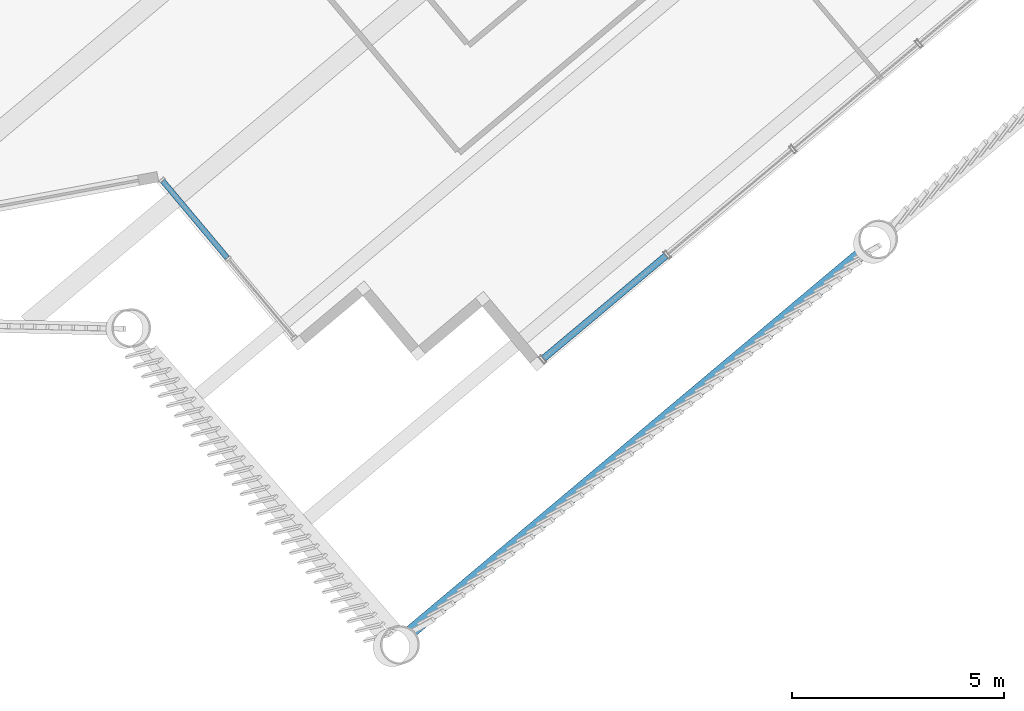
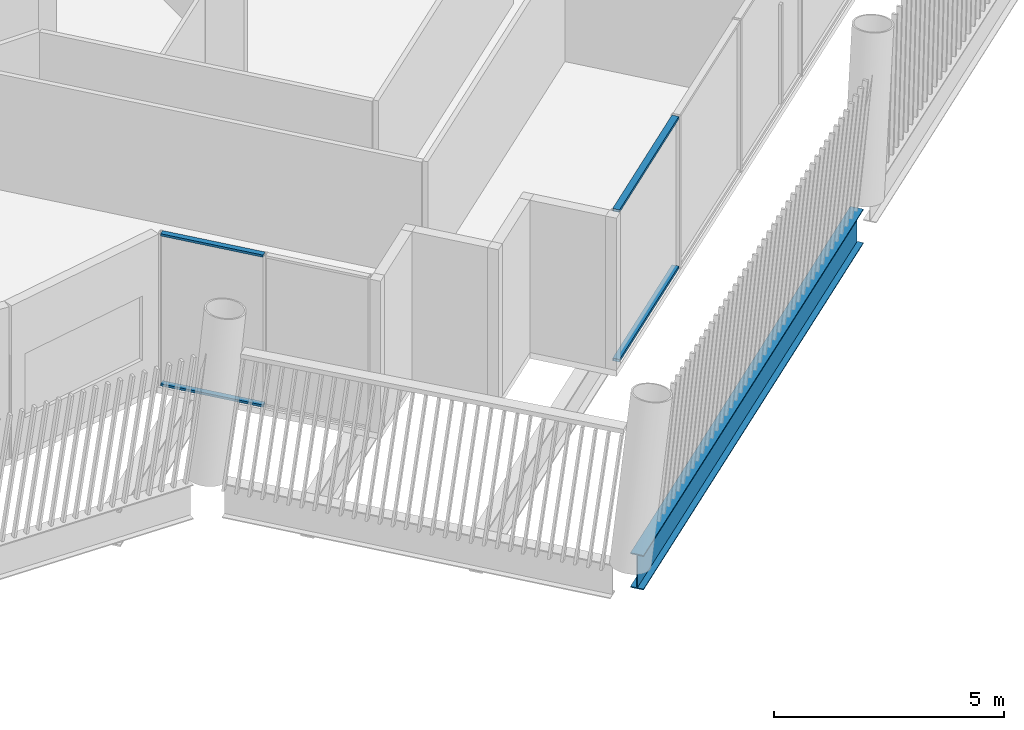
# One storey, part 11 of 31: 4 members, 1 beam, 2 elements without a shape of their own.
"""IFC4 building model written with IfcOpenShell, lengths in metres."""

from ifc_helpers import new_model, si_unit, direction, frame, origin, origin_2d, place, context, subcontext, project, spatial, hollow_rectangle, i_section, extrude, material, layer, layer_set, material_profile, profile_set, type_object, element, aggregate, save


model = new_model("IFC4")

# Units and contexts
model_context = context("Model", 3, precision=1e-05, world=origin(), true_north=direction((0.0, 1.0)))
body_context = subcontext(model_context, "Body", "Model", "MODEL_VIEW")
ifc_project = project(units=[si_unit("LENGTHUNIT", "METRE"), si_unit("AREAUNIT", "SQUARE_METRE"), si_unit("VOLUMEUNIT", "CUBIC_METRE"), si_unit("PLANEANGLEUNIT", "RADIAN"), si_unit("MASSUNIT", "GRAM", prefix="KILO")], contexts=[model_context])

# Site, building, storey
site_placement = place(None, origin())
site = spatial("IfcSite", under=ifc_project, at=site_placement, CompositionType="ELEMENT")
building_placement = place(site_placement, origin())
building = spatial("IfcBuilding", under=site, at=building_placement, Name="Tarsis Ring Headquarters", CompositionType="ELEMENT")
storey_placement = place(building_placement, frame((0.0, 0.0, 390.199951171875)))
storey = spatial("IfcBuildingStorey", under=building, at=storey_placement, Name="L92", CompositionType="ELEMENT", Elevation=390.199951171875)

# Curtain wall, members
ifc_material_1 = material(Name="Aluminium curtain wall", Category="aluminium")
ifc_layer_1 = layer(ifc_material_1, 0.199951171875)
ifc_layer_set_1 = layer_set([ifc_layer_1], Name="Curtain wall executive tip")
curtain_wall_type_1 = type_object("IfcCurtainWallType", Name="Curtain wall executive tip", PredefinedType="NOTDEFINED", material=ifc_layer_set_1)
curtain_wall_1_placement = place(storey_placement, origin())
curtain_wall_1 = element("IfcCurtainWall", 1, at=curtain_wall_1_placement, inside=storey, type_object=curtain_wall_type_1, Name="Curtain wall L92-11", PredefinedType="NOTDEFINED")
ifc_material_2 = material(Name="Aluminium transom", Category="aluminium")
ifc_material_profile_1 = material_profile(ifc_material_2, hollow_rectangle(XDim=0.159912109375, YDim=0.070068359375, WallThickness=0.0048828125, at=origin_2d()), Name="RHS 160x70x5")
ifc_profile_set_1 = profile_set([ifc_material_profile_1], Name="Aluminium transom")
member_type_1 = type_object("IfcMemberType", Name="Curtain wall transom executive tip RHS 160x70x5", PredefinedType="USERDEFINED", material=ifc_profile_set_1)
member_1_placement = place(storey_placement, frame((14.605712890625, -29.354248046875, 0.03515625), z_axis=(0.766035180871, 0.642798647842, 0.0), x_axis=(-0.642798647842, 0.766035180871, 0.0)))
member_1 = element("IfcMember", 2, at=member_1_placement, type_object=member_type_1, Name="CW-E transom 1.1", ObjectType="TRANSOM", PredefinedType="USERDEFINED", context=body_context, shape_type="SweptSolid", body=[
    extrude(hollow_rectangle(XDim=0.159912109375, YDim=0.070068359375, WallThickness=0.0048828125, at=origin_2d()), origin(), (0.0, 0.0, 1.0), 3.77001953125),
])
member_2_placement = place(storey_placement, frame((14.605712890625, -29.354248046875, 4.005126953125), z_axis=(0.766035180871, 0.642798647842, 0.0), x_axis=(-0.642798647842, 0.766035180871, 0.0)))
member_2 = element("IfcMember", 3, at=member_2_placement, type_object=member_type_1, Name="CW-E transom 1.2", ObjectType="TRANSOM", PredefinedType="USERDEFINED", context=body_context, shape_type="SweptSolid", body=[
    extrude(hollow_rectangle(XDim=0.159912109375, YDim=0.070068359375, WallThickness=0.0048828125, at=origin_2d()), origin(), (0.0, 0.0, 1.0), 3.77001953125),
])
aggregate(curtain_wall_1, [member_1, member_2])

ifc_layer_2 = layer(ifc_material_1, 0.14990234375)
ifc_layer_set_2 = layer_set([ifc_layer_2], Name="Curtain wall tower unit")
curtain_wall_type_2 = type_object("IfcCurtainWallType", Name="Curtain wall tower unit", PredefinedType="NOTDEFINED", material=ifc_layer_set_2)
curtain_wall_2_placement = place(storey_placement, origin())
curtain_wall_2 = element("IfcCurtainWall", 4, at=curtain_wall_2_placement, inside=storey, type_object=curtain_wall_type_2, Name="Curtain wall L92-06", PredefinedType="NOTDEFINED")
ifc_material_profile_2 = material_profile(ifc_material_2, hollow_rectangle(XDim=0.1298828125, YDim=0.06005859375, WallThickness=0.0048828125, at=origin_2d()), Name="RHS 130x60x5")
ifc_profile_set_2 = profile_set([ifc_material_profile_2], Name="Aluminium transom")
member_type_2 = type_object("IfcMemberType", Name="Curtain wall transom tower unit RHS 130x60x5", PredefinedType="USERDEFINED", material=ifc_profile_set_2)
member_3_placement = place(storey_placement, frame((5.615234375, -25.166259765625, 0.030029296875), z_axis=(0.642793575856, -0.766039436869, 0.0), x_axis=(0.766039436869, 0.642793575856, 0.0)))
member_3 = element("IfcMember", 5, at=member_3_placement, type_object=member_type_2, Name="CW-T transom 1.1", ObjectType="TRANSOM", PredefinedType="USERDEFINED", context=body_context, shape_type="SweptSolid", body=[
    extrude(hollow_rectangle(XDim=0.1298828125, YDim=0.06005859375, WallThickness=0.0048828125, at=origin_2d()), origin(), (0.0, 0.0, 1.0), 2.37109375),
])
member_4_placement = place(storey_placement, frame((5.615234375, -25.166259765625, 4.010009765625), z_axis=(0.642793575856, -0.766039436869, 0.0), x_axis=(0.766039436869, 0.642793575856, 0.0)))
member_4 = element("IfcMember", 6, at=member_4_placement, type_object=member_type_2, Name="CW-T transom 1.2", ObjectType="TRANSOM", PredefinedType="USERDEFINED", context=body_context, shape_type="SweptSolid", body=[
    extrude(hollow_rectangle(XDim=0.1298828125, YDim=0.06005859375, WallThickness=0.0048828125, at=origin_2d()), origin(), (0.0, 0.0, 1.0), 2.37109375),
])
aggregate(curtain_wall_2, [member_3, member_4])

# Beam
ifc_material_3 = material(Name="Structural steel S355", Category="steel")
ifc_material_profile_3 = material_profile(ifc_material_3, i_section(OverallWidth=0.3046875, OverallDepth=0.91943359375, WebThickness=0.017333984375, FlangeThickness=0.02783203125, at=origin_2d()), Name="W36x170")
ifc_profile_set_3 = profile_set([ifc_material_profile_3], Name="Structural steel S355")
beam_type = type_object("IfcBeamType", Name="XG Ring girder W36x170", PredefinedType="BEAM", material=ifc_profile_set_3)
beam_placement = place(storey_placement, frame((11.3466796875, -35.9072265625, -0.459716796875), z_axis=(0.766040602155, 0.642792187142, 0.0), x_axis=(-0.642792187142, 0.766040602155, 0.0)))
element("IfcBeam", 7, at=beam_placement, inside=storey, type_object=beam_type, Name="Ring girder XG4", PredefinedType="BEAM", context=body_context, shape_type="SweptSolid", body=[
    extrude(i_section(OverallWidth=0.3046875, OverallDepth=0.91943359375, WebThickness=0.017333984375, FlangeThickness=0.02783203125, at=origin_2d()), origin(), (0.0, 0.0, 1.0), 13.97705078125),
])

save(model, "model.ifc")
